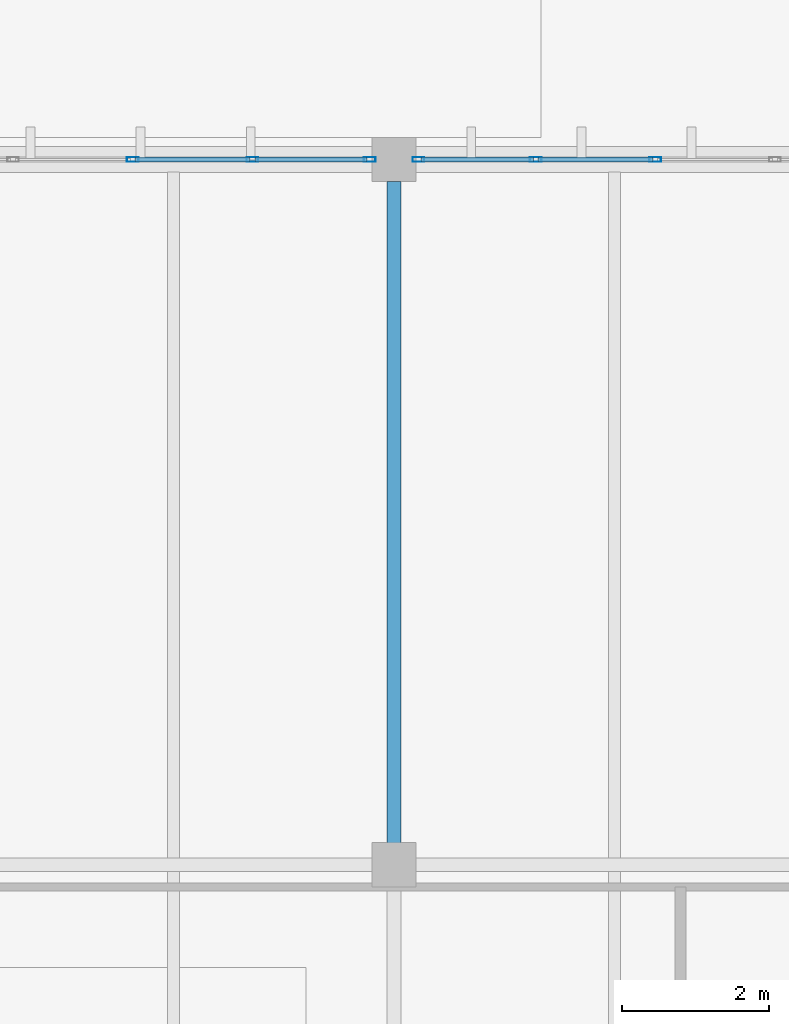
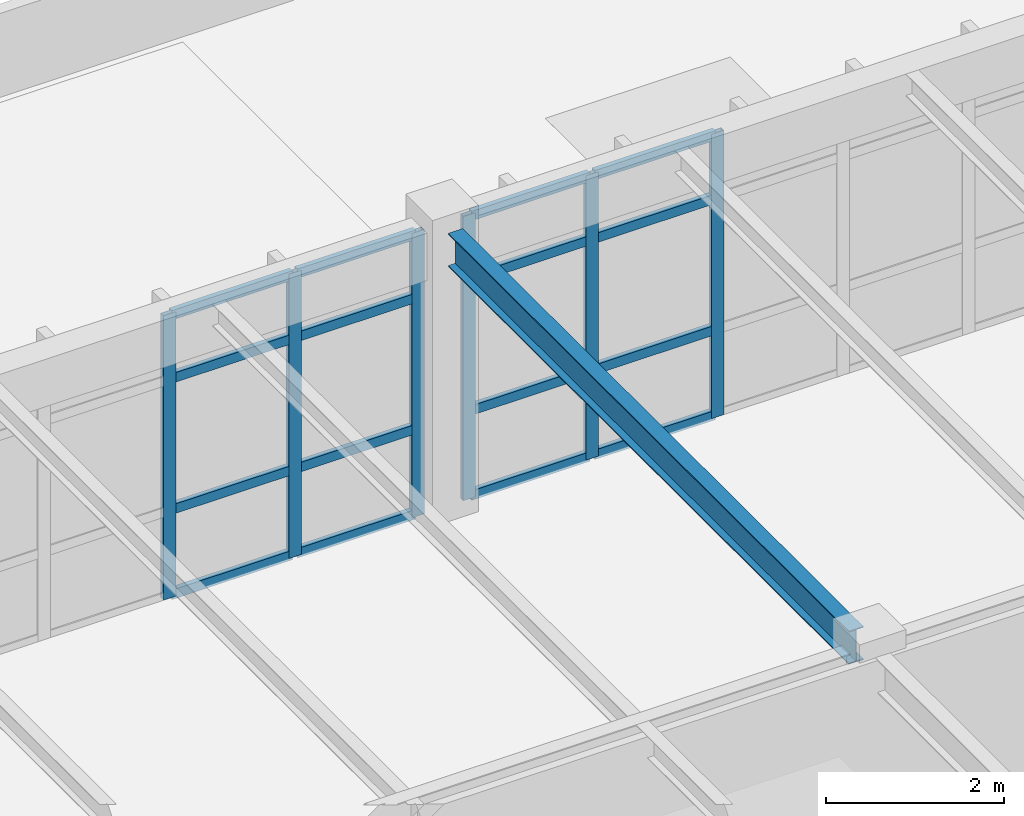
# One storey, part 19 of 37: 22 members, 1 beam, 2 elements without a shape of their own.
"""IFC4 building model written with IfcOpenShell, lengths in metres."""

from ifc_helpers import new_model, si_unit, direction, frame, origin, origin_2d, place, context, subcontext, project, spatial, hollow_rectangle, i_section, extrude, material, layer, layer_set, material_profile, profile_set, type_object, element, aggregate, save


model = new_model("IFC4")

# Units and contexts
model_context = context("Model", 3, precision=1e-05, world=origin(), true_north=direction((0.0, 1.0)))
body_context = subcontext(model_context, "Body", "Model", "MODEL_VIEW")
ifc_project = project(units=[si_unit("LENGTHUNIT", "METRE"), si_unit("AREAUNIT", "SQUARE_METRE"), si_unit("VOLUMEUNIT", "CUBIC_METRE"), si_unit("PLANEANGLEUNIT", "RADIAN"), si_unit("MASSUNIT", "GRAM", prefix="KILO")], contexts=[model_context])

# Site, building, storey
site_placement = place(None, origin())
site = spatial("IfcSite", under=ifc_project, at=site_placement, CompositionType="ELEMENT")
building_placement = place(site_placement, origin())
building = spatial("IfcBuilding", under=site, at=building_placement, Name="Pandanus Reach Market Hall", CompositionType="ELEMENT")
storey_placement = place(building_placement, frame((0.0, 0.0, 14.39990234375)))
storey = spatial("IfcBuildingStorey", under=building, at=storey_placement, Name="L03", CompositionType="ELEMENT", Elevation=14.39990234375)

# Beam
ifc_material_1 = material(Name="Steel Grade 350 (350 MPa)", Category="steel")
ifc_material_profile_1 = material_profile(ifc_material_1, i_section(OverallWidth=0.18994140625, OverallDepth=0.45703125, WebThickness=0.009033203125, FlangeThickness=0.014404296875, at=origin_2d()), Name="460UB74.6", Category="LoadBearing")
ifc_profile_set_1 = profile_set([ifc_material_profile_1], Name="Steel Grade 350 (350 MPa)")
beam_type = type_object("IfcBeamType", Name="BM-UB460-I", PredefinedType="BEAM", material=ifc_profile_set_1)
beam_placement = place(storey_placement, frame((156.0, 67.498046875, 3.726318359375), z_axis=(0.0, 1.0, 0.0), x_axis=(-1.0, 0.0, 0.0)))
element("IfcBeam", 1, at=beam_placement, inside=storey, type_object=beam_type, Name="Framing beam BM-UB460-I L03.563", PredefinedType="BEAM", context=body_context, shape_type="SweptSolid", body=[
    extrude(i_section(OverallWidth=0.18994140625, OverallDepth=0.45703125, WebThickness=0.009033203125, FlangeThickness=0.014404296875, at=origin_2d()), origin(), (0.0, 0.0, 1.0), 9.00390625),
])

# Curtain wall, members
ifc_material_2 = material(Name="Bronze anodised aluminium and low-E glass", Category="aluminium")
ifc_layer = layer(ifc_material_2, 0.159912109375, Name="CW-31")
ifc_layer_set = layer_set([ifc_layer], Name="Bronze anodised aluminium and low-E glass")
curtain_wall_type = type_object("IfcCurtainWallType", Name="CW-31", PredefinedType="NOTDEFINED", material=ifc_layer_set)
curtain_wall_1_placement = place(storey_placement, origin())
curtain_wall_1 = element("IfcCurtainWall", 2, at=curtain_wall_1_placement, inside=storey, type_object=curtain_wall_type, Name="Glazed curtain wall CW-31 CW-0118", PredefinedType="NOTDEFINED")
ifc_material_3 = material(Name="Bronze anodised aluminium", Category="aluminium")
ifc_material_profile_2 = material_profile(ifc_material_3, hollow_rectangle(XDim=0.06494140625, YDim=0.159912109375, WallThickness=0.00390625, at=origin_2d()), Name="ALU65x160", Category="LoadBearing")
ifc_profile_set_2 = profile_set([ifc_material_profile_2], Name="Bronze anodised aluminium")
member_type_1 = type_object("IfcMemberType", Name="CW-M1", PredefinedType="MULLION", material=ifc_profile_set_2)
member_1_placement = place(storey_placement, frame((152.44287109375, 76.800048828125, 0.0), z_axis=(0.0, 0.0, 1.0), x_axis=(0.0, 1.0, 0.0)))
member_1 = element("IfcMember", 3, at=member_1_placement, type_object=member_type_1, Name="CW-31 mullion 6", PredefinedType="MULLION", context=body_context, shape_type="SweptSolid", body=[
    extrude(hollow_rectangle(XDim=0.06494140625, YDim=0.159912109375, WallThickness=0.00390625, at=origin_2d()), origin(), (0.0, 0.0, 1.0), 3.900146484375),
])
member_2_placement = place(storey_placement, frame((154.071533203125, 76.800048828125, 0.0), z_axis=(0.0, 0.0, 1.0), x_axis=(0.0, 1.0, 0.0)))
member_2 = element("IfcMember", 4, at=member_2_placement, type_object=member_type_1, Name="CW-31 mullion 7", PredefinedType="MULLION", context=body_context, shape_type="SweptSolid", body=[
    extrude(hollow_rectangle(XDim=0.06494140625, YDim=0.159912109375, WallThickness=0.00390625, at=origin_2d()), origin(), (0.0, 0.0, 1.0), 3.900146484375),
])
member_3_placement = place(storey_placement, frame((155.66748046875, 76.800048828125, 0.0), z_axis=(0.0, 0.0, 1.0), x_axis=(0.0, 1.0, 0.0)))
member_3 = element("IfcMember", 5, at=member_3_placement, type_object=member_type_1, Name="CW-31 mullion 8", PredefinedType="MULLION", context=body_context, shape_type="SweptSolid", body=[
    extrude(hollow_rectangle(XDim=0.06494140625, YDim=0.159912109375, WallThickness=0.00390625, at=origin_2d()), origin(), (0.0, 0.0, 1.0), 3.900146484375),
])

curtain_wall_2_placement = place(storey_placement, origin())
curtain_wall_2 = element("IfcCurtainWall", 6, at=curtain_wall_2_placement, inside=storey, type_object=curtain_wall_type, Name="Glazed curtain wall CW-31 CW-0119", PredefinedType="NOTDEFINED")
member_4_placement = place(storey_placement, frame((156.33251953125, 76.800048828125, 0.0), z_axis=(0.0, 0.0, 1.0), x_axis=(0.0, 1.0, 0.0)))
member_4 = element("IfcMember", 7, at=member_4_placement, type_object=member_type_1, Name="CW-31 mullion 1", PredefinedType="MULLION", context=body_context, shape_type="SweptSolid", body=[
    extrude(hollow_rectangle(XDim=0.06494140625, YDim=0.159912109375, WallThickness=0.00390625, at=origin_2d()), origin(), (0.0, 0.0, 1.0), 3.900146484375),
])
member_5_placement = place(storey_placement, frame((157.928466796875, 76.800048828125, 0.0), z_axis=(0.0, 0.0, 1.0), x_axis=(0.0, 1.0, 0.0)))
member_5 = element("IfcMember", 8, at=member_5_placement, type_object=member_type_1, Name="CW-31 mullion 2", PredefinedType="MULLION", context=body_context, shape_type="SweptSolid", body=[
    extrude(hollow_rectangle(XDim=0.06494140625, YDim=0.159912109375, WallThickness=0.00390625, at=origin_2d()), origin(), (0.0, 0.0, 1.0), 3.900146484375),
])
member_6_placement = place(storey_placement, frame((159.55712890625, 76.800048828125, 0.0), z_axis=(0.0, 0.0, 1.0), x_axis=(0.0, 1.0, 0.0)))
member_6 = element("IfcMember", 9, at=member_6_placement, type_object=member_type_1, Name="CW-31 mullion 3", PredefinedType="MULLION", context=body_context, shape_type="SweptSolid", body=[
    extrude(hollow_rectangle(XDim=0.06494140625, YDim=0.159912109375, WallThickness=0.00390625, at=origin_2d()), origin(), (0.0, 0.0, 1.0), 3.900146484375),
])

# Member
ifc_material_profile_3 = material_profile(ifc_material_3, hollow_rectangle(XDim=0.06494140625, YDim=0.1298828125, WallThickness=0.00390625, at=origin_2d()), Name="ALU65x130", Category="LoadBearing")
ifc_profile_set_3 = profile_set([ifc_material_profile_3], Name="Bronze anodised aluminium")
member_type_2 = type_object("IfcMemberType", Name="CW-T1", PredefinedType="USERDEFINED", material=ifc_profile_set_3)
member_7_placement = place(storey_placement, frame((152.475341796875, 76.800048828125, 0.03271484375), z_axis=(1.0, 0.0, 0.0), x_axis=(0.0, 1.0, 0.0)))
member_7 = element("IfcMember", 10, at=member_7_placement, type_object=member_type_2, Name="CW-31 transom 6.1", ObjectType="TRANSOM", PredefinedType="USERDEFINED", context=body_context, shape_type="SweptSolid", body=[
    extrude(hollow_rectangle(XDim=0.06494140625, YDim=0.1298828125, WallThickness=0.00390625, at=origin_2d()), origin(), (0.0, 0.0, 1.0), 1.5634765625),
])

member_8_placement = place(storey_placement, frame((152.475341796875, 76.800048828125, 1.2001953125), z_axis=(1.0, 0.0, 0.0), x_axis=(0.0, 1.0, 0.0)))
member_8 = element("IfcMember", 11, at=member_8_placement, type_object=member_type_2, Name="CW-31 transom 6.2", ObjectType="TRANSOM", PredefinedType="USERDEFINED", context=body_context, shape_type="SweptSolid", body=[
    extrude(hollow_rectangle(XDim=0.06494140625, YDim=0.1298828125, WallThickness=0.00390625, at=origin_2d()), origin(), (0.0, 0.0, 1.0), 1.5634765625),
])

member_9_placement = place(storey_placement, frame((152.475341796875, 76.800048828125, 3.0), z_axis=(1.0, 0.0, 0.0), x_axis=(0.0, 1.0, 0.0)))
member_9 = element("IfcMember", 12, at=member_9_placement, type_object=member_type_2, Name="CW-31 transom 6.3", ObjectType="TRANSOM", PredefinedType="USERDEFINED", context=body_context, shape_type="SweptSolid", body=[
    extrude(hollow_rectangle(XDim=0.06494140625, YDim=0.1298828125, WallThickness=0.00390625, at=origin_2d()), origin(), (0.0, 0.0, 1.0), 1.5634765625),
])

member_10_placement = place(storey_placement, frame((152.475341796875, 76.800048828125, 3.86767578125), z_axis=(1.0, 0.0, 0.0), x_axis=(0.0, 1.0, 0.0)))
member_10 = element("IfcMember", 13, at=member_10_placement, type_object=member_type_2, Name="CW-31 transom 6.4", ObjectType="TRANSOM", PredefinedType="USERDEFINED", context=body_context, shape_type="SweptSolid", body=[
    extrude(hollow_rectangle(XDim=0.06494140625, YDim=0.1298828125, WallThickness=0.00390625, at=origin_2d()), origin(), (0.0, 0.0, 1.0), 1.5634765625),
])

member_11_placement = place(storey_placement, frame((154.10400390625, 76.800048828125, 0.03271484375), z_axis=(1.0, 0.0, 0.0), x_axis=(0.0, 1.0, 0.0)))
member_11 = element("IfcMember", 14, at=member_11_placement, type_object=member_type_2, Name="CW-31 transom 7.1", ObjectType="TRANSOM", PredefinedType="USERDEFINED", context=body_context, shape_type="SweptSolid", body=[
    extrude(hollow_rectangle(XDim=0.06494140625, YDim=0.1298828125, WallThickness=0.00390625, at=origin_2d()), origin(), (0.0, 0.0, 1.0), 1.531005859375),
])

member_12_placement = place(storey_placement, frame((154.10400390625, 76.800048828125, 1.2001953125), z_axis=(1.0, 0.0, 0.0), x_axis=(0.0, 1.0, 0.0)))
member_12 = element("IfcMember", 15, at=member_12_placement, type_object=member_type_2, Name="CW-31 transom 7.2", ObjectType="TRANSOM", PredefinedType="USERDEFINED", context=body_context, shape_type="SweptSolid", body=[
    extrude(hollow_rectangle(XDim=0.06494140625, YDim=0.1298828125, WallThickness=0.00390625, at=origin_2d()), origin(), (0.0, 0.0, 1.0), 1.531005859375),
])

member_13_placement = place(storey_placement, frame((154.10400390625, 76.800048828125, 3.0), z_axis=(1.0, 0.0, 0.0), x_axis=(0.0, 1.0, 0.0)))
member_13 = element("IfcMember", 16, at=member_13_placement, type_object=member_type_2, Name="CW-31 transom 7.3", ObjectType="TRANSOM", PredefinedType="USERDEFINED", context=body_context, shape_type="SweptSolid", body=[
    extrude(hollow_rectangle(XDim=0.06494140625, YDim=0.1298828125, WallThickness=0.00390625, at=origin_2d()), origin(), (0.0, 0.0, 1.0), 1.531005859375),
])

member_14_placement = place(storey_placement, frame((154.10400390625, 76.800048828125, 3.86767578125), z_axis=(1.0, 0.0, 0.0), x_axis=(0.0, 1.0, 0.0)))
member_14 = element("IfcMember", 17, at=member_14_placement, type_object=member_type_2, Name="CW-31 transom 7.4", ObjectType="TRANSOM", PredefinedType="USERDEFINED", context=body_context, shape_type="SweptSolid", body=[
    extrude(hollow_rectangle(XDim=0.06494140625, YDim=0.1298828125, WallThickness=0.00390625, at=origin_2d()), origin(), (0.0, 0.0, 1.0), 1.531005859375),
])

aggregate(curtain_wall_1, [member_1, member_2, member_3, member_7, member_8, member_9, member_10, member_11, member_12, member_13, member_14])

member_15_placement = place(storey_placement, frame((156.364990234375, 76.800048828125, 0.03271484375), z_axis=(1.0, 0.0, 0.0), x_axis=(0.0, 1.0, 0.0)))
member_15 = element("IfcMember", 18, at=member_15_placement, type_object=member_type_2, Name="CW-31 transom 1.1", ObjectType="TRANSOM", PredefinedType="USERDEFINED", context=body_context, shape_type="SweptSolid", body=[
    extrude(hollow_rectangle(XDim=0.06494140625, YDim=0.1298828125, WallThickness=0.00390625, at=origin_2d()), origin(), (0.0, 0.0, 1.0), 1.531005859375),
])

member_16_placement = place(storey_placement, frame((156.364990234375, 76.800048828125, 1.2001953125), z_axis=(1.0, 0.0, 0.0), x_axis=(0.0, 1.0, 0.0)))
member_16 = element("IfcMember", 19, at=member_16_placement, type_object=member_type_2, Name="CW-31 transom 1.2", ObjectType="TRANSOM", PredefinedType="USERDEFINED", context=body_context, shape_type="SweptSolid", body=[
    extrude(hollow_rectangle(XDim=0.06494140625, YDim=0.1298828125, WallThickness=0.00390625, at=origin_2d()), origin(), (0.0, 0.0, 1.0), 1.531005859375),
])

member_17_placement = place(storey_placement, frame((156.364990234375, 76.800048828125, 3.0), z_axis=(1.0, 0.0, 0.0), x_axis=(0.0, 1.0, 0.0)))
member_17 = element("IfcMember", 20, at=member_17_placement, type_object=member_type_2, Name="CW-31 transom 1.3", ObjectType="TRANSOM", PredefinedType="USERDEFINED", context=body_context, shape_type="SweptSolid", body=[
    extrude(hollow_rectangle(XDim=0.06494140625, YDim=0.1298828125, WallThickness=0.00390625, at=origin_2d()), origin(), (0.0, 0.0, 1.0), 1.531005859375),
])

member_18_placement = place(storey_placement, frame((156.364990234375, 76.800048828125, 3.86767578125), z_axis=(1.0, 0.0, 0.0), x_axis=(0.0, 1.0, 0.0)))
member_18 = element("IfcMember", 21, at=member_18_placement, type_object=member_type_2, Name="CW-31 transom 1.4", ObjectType="TRANSOM", PredefinedType="USERDEFINED", context=body_context, shape_type="SweptSolid", body=[
    extrude(hollow_rectangle(XDim=0.06494140625, YDim=0.1298828125, WallThickness=0.00390625, at=origin_2d()), origin(), (0.0, 0.0, 1.0), 1.531005859375),
])

member_19_placement = place(storey_placement, frame((157.961181640625, 76.800048828125, 0.03271484375), z_axis=(1.0, 0.0, 0.0), x_axis=(0.0, 1.0, 0.0)))
member_19 = element("IfcMember", 22, at=member_19_placement, type_object=member_type_2, Name="CW-31 transom 2.1", ObjectType="TRANSOM", PredefinedType="USERDEFINED", context=body_context, shape_type="SweptSolid", body=[
    extrude(hollow_rectangle(XDim=0.06494140625, YDim=0.1298828125, WallThickness=0.00390625, at=origin_2d()), origin(), (0.0, 0.0, 1.0), 1.5634765625),
])

member_20_placement = place(storey_placement, frame((157.961181640625, 76.800048828125, 1.2001953125), z_axis=(1.0, 0.0, 0.0), x_axis=(0.0, 1.0, 0.0)))
member_20 = element("IfcMember", 23, at=member_20_placement, type_object=member_type_2, Name="CW-31 transom 2.2", ObjectType="TRANSOM", PredefinedType="USERDEFINED", context=body_context, shape_type="SweptSolid", body=[
    extrude(hollow_rectangle(XDim=0.06494140625, YDim=0.1298828125, WallThickness=0.00390625, at=origin_2d()), origin(), (0.0, 0.0, 1.0), 1.5634765625),
])

member_21_placement = place(storey_placement, frame((157.961181640625, 76.800048828125, 3.0), z_axis=(1.0, 0.0, 0.0), x_axis=(0.0, 1.0, 0.0)))
member_21 = element("IfcMember", 24, at=member_21_placement, type_object=member_type_2, Name="CW-31 transom 2.3", ObjectType="TRANSOM", PredefinedType="USERDEFINED", context=body_context, shape_type="SweptSolid", body=[
    extrude(hollow_rectangle(XDim=0.06494140625, YDim=0.1298828125, WallThickness=0.00390625, at=origin_2d()), origin(), (0.0, 0.0, 1.0), 1.5634765625),
])

member_22_placement = place(storey_placement, frame((157.961181640625, 76.800048828125, 3.86767578125), z_axis=(1.0, 0.0, 0.0), x_axis=(0.0, 1.0, 0.0)))
member_22 = element("IfcMember", 25, at=member_22_placement, type_object=member_type_2, Name="CW-31 transom 2.4", ObjectType="TRANSOM", PredefinedType="USERDEFINED", context=body_context, shape_type="SweptSolid", body=[
    extrude(hollow_rectangle(XDim=0.06494140625, YDim=0.1298828125, WallThickness=0.00390625, at=origin_2d()), origin(), (0.0, 0.0, 1.0), 1.5634765625),
])

aggregate(curtain_wall_2, [member_4, member_5, member_6, member_15, member_16, member_17, member_18, member_19, member_20, member_21, member_22])

save(model, "model.ifc")
